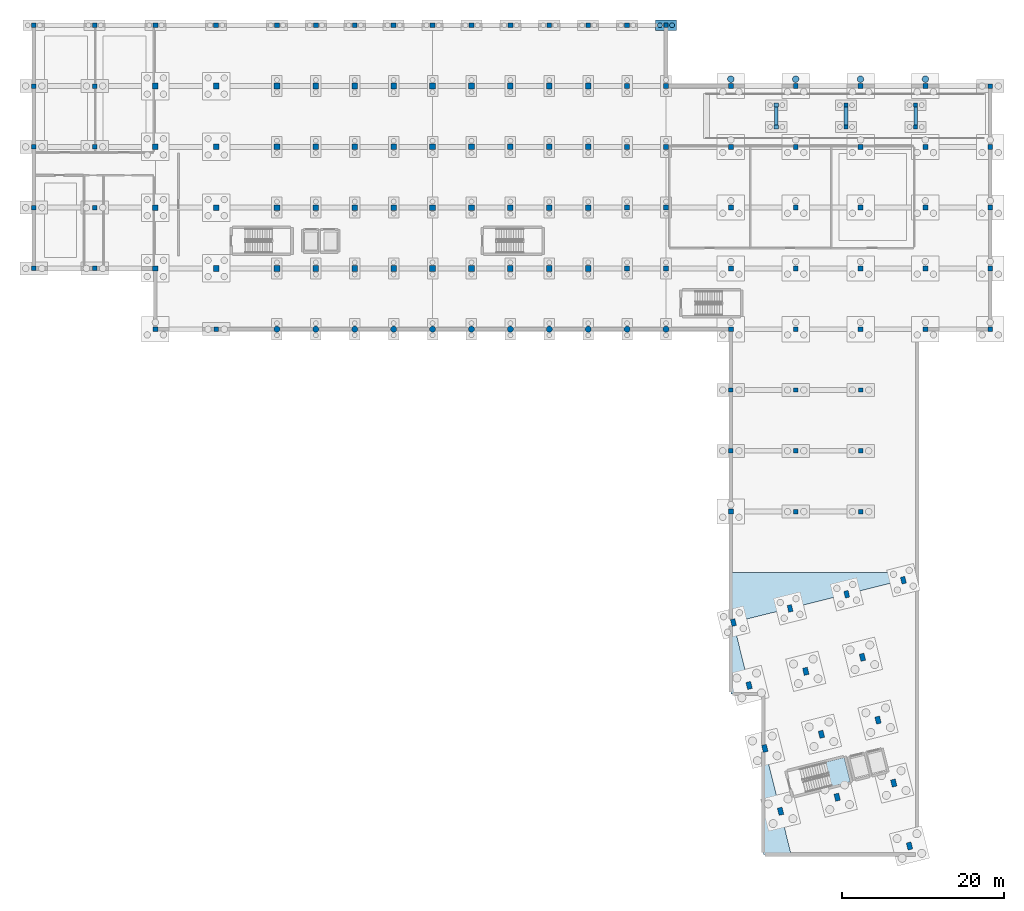
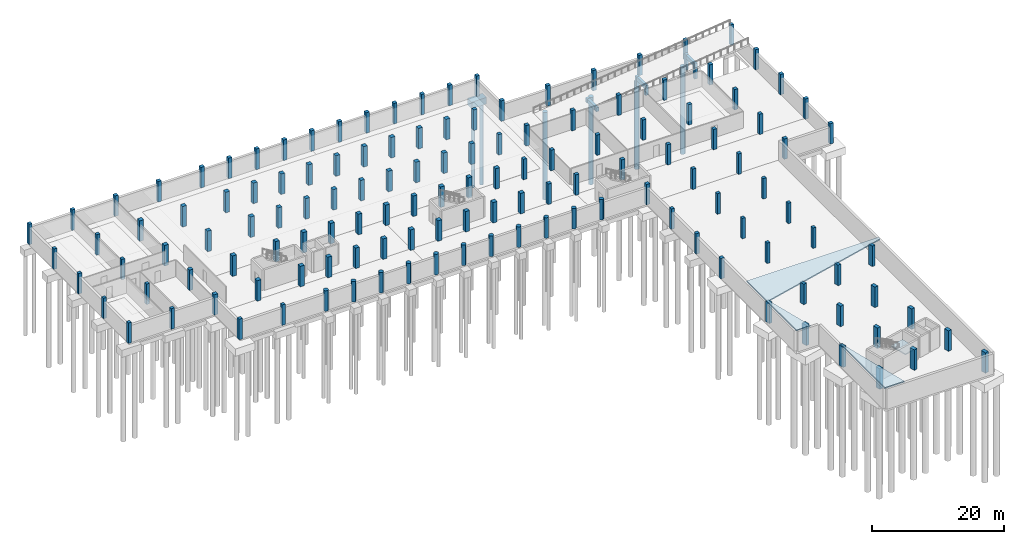
# One storey, part 4 of 17: 142 columns, 6 piles, 3 beams, 3 slabs, 1 footing, 1 element without a shape of its own.
"""IFC4 building model written with IfcOpenShell, lengths in metres."""

from ifc_helpers import new_model, si_unit, direction, frame, origin, origin_2d, place, context, subcontext, project, spatial, polyline, rectangle, circle, outline, extrude, material, layer, layer_set, material_profile, profile_set, type_object, element, aggregate, save


model = new_model("IFC4")

# Units and contexts
model_context = context("Model", 3, precision=1e-05, world=origin(), true_north=direction((0.0, 1.0)))
body_context = subcontext(model_context, "Body", "Model", "MODEL_VIEW")
ifc_project = project(units=[si_unit("LENGTHUNIT", "METRE"), si_unit("AREAUNIT", "SQUARE_METRE"), si_unit("VOLUMEUNIT", "CUBIC_METRE"), si_unit("PLANEANGLEUNIT", "RADIAN"), si_unit("MASSUNIT", "GRAM", prefix="KILO")], contexts=[model_context])

# Site, building, storey
site_placement = place(None, origin())
site = spatial("IfcSite", under=ifc_project, at=site_placement, CompositionType="ELEMENT")
building_placement = place(site_placement, origin())
building = spatial("IfcBuilding", under=site, at=building_placement, Name="Mawjan Specialist Oncology Clinic", CompositionType="ELEMENT")
storey_placement = place(building_placement, frame((0.0, 0.0, -4.199951171875)))
storey = spatial("IfcBuildingStorey", under=building, at=storey_placement, Name="B01", CompositionType="ELEMENT", Elevation=-4.199951171875)

# Footing
ifc_material_1 = material(Name="Concrete C40/50", Category="concrete")
footing_type = type_object("IfcFootingType", Name="PC-2A", PredefinedType="PILE_CAP", material=ifc_material_1)
footing_placement = place(storey_placement, frame((108.0, 113.300048828125, -1.64990234375), z_axis=(0.0, 0.0, 1.0), x_axis=(1.0, 0.0, 0.0)))
element("IfcFooting", 1, at=footing_placement, inside=storey, type_object=footing_type, Name="Pile Cap FTG-PC-215", PredefinedType="PILE_CAP", context=body_context, shape_type="SweptSolid", body=[
    extrude(rectangle(XDim=2.60009765625, YDim=1.300048828125, at=origin_2d()), origin(), (0.0, 0.0, 1.0), 1.199951171875),
])

# Piles
ifc_material_2 = material(Name="Concrete C40/50", Category="concrete")
ifc_material_profile_1 = material_profile(ifc_material_2, circle(Radius=0.300048828125, at=origin_2d()), Name="BORED PILE D600", Category="concrete")
ifc_profile_set_1 = profile_set([ifc_material_profile_1], Name="Concrete C40/50")
pile_type_1 = type_object("IfcPileType", Name="PILE-600", PredefinedType="BORED", material=ifc_profile_set_1)
for number, where, z_axis, x_axis, name in (
    (2, (107.25, 113.300048828125, -1.550048828125), (0.0, 0.0, -1.0), (1.0, 0.0, 0.0), "Bored Pile PIL-0527"),
    (3, (108.75, 113.300048828125, -1.550048828125), (0.0, 0.0, -1.0), (1.0, 0.0, 0.0), "Bored Pile PIL-0528"),
):
    element("IfcPile", number, at=place(storey_placement, frame(where, z_axis=z_axis, x_axis=x_axis)), inside=storey, type_object=pile_type_1, Name=name, PredefinedType="BORED", context=body_context, shape_type="SweptSolid", body=[
        extrude(circle(Radius=0.300048828125, at=origin_2d()), origin(), (0.0, 0.0, 1.0), 15.050048828125),
    ])
ifc_material_3 = material(Name="Concrete C40/50", Category="concrete")
ifc_material_profile_2 = material_profile(ifc_material_3, circle(Radius=0.39990234375, at=origin_2d()), Name="BORED PILE D800", Category="concrete")
ifc_profile_set_2 = profile_set([ifc_material_profile_2], Name="Concrete C40/50")
pile_type_2 = type_object("IfcPileType", Name="PILE-800", PredefinedType="BORED", material=ifc_profile_set_2)
for number, where, z_axis, x_axis, name in (
    (4, (116.0, 106.64990234375, -1.699951171875), (0.0, 0.0, -1.0), (1.0, 0.0, 0.0), "Bored Pile PIL-0550"),
    (5, (124.0, 106.64990234375, -1.699951171875), (0.0, 0.0, -1.0), (1.0, 0.0, 0.0), "Bored Pile PIL-0573"),
    (6, (132.0, 106.64990234375, -1.699951171875), (0.0, 0.0, -1.0), (1.0, 0.0, 0.0), "Bored Pile PIL-0596"),
    (7, (140.0, 106.64990234375, -1.699951171875), (0.0, 0.0, -1.0), (1.0, 0.0, 0.0), "Bored Pile PIL-0613"),
):
    element("IfcPile", number, at=place(storey_placement, frame(where, z_axis=z_axis, x_axis=x_axis)), inside=storey, type_object=pile_type_2, Name=name, PredefinedType="BORED", context=body_context, shape_type="SweptSolid", body=[
        extrude(circle(Radius=0.39990234375, at=origin_2d()), origin(), (0.0, 0.0, 1.0), 16.10009765625),
    ])

# Columns
ifc_material_4 = material(Name="Concrete C45/55", Category="concrete")
ifc_material_profile_3 = material_profile(ifc_material_4, rectangle(XDim=0.5, YDim=0.5, at=origin_2d()), Name="RC COL 500x500", Category="concrete")
ifc_profile_set_3 = profile_set([ifc_material_profile_3], Name="Concrete C45/55")
column_type_1 = type_object("IfcColumnType", Name="C-500", PredefinedType="COLUMN", material=ifc_profile_set_3)
for number, where, z_axis, x_axis, name in (
    (8, (121.60009765625, 100.75, 0.0), (0.0, 0.0, 1.0), (1.0, 0.0, 0.0), "B01 Vehicle Ramp Support Column 1-1"),
    (9, (121.60009765625, 103.449951171875, 0.0), (0.0, 0.0, 1.0), (1.0, 0.0, 0.0), "B01 Vehicle Ramp Support Column 1-2"),
):
    element("IfcColumn", number, at=place(storey_placement, frame(where, z_axis=z_axis, x_axis=x_axis)), inside=storey, type_object=column_type_1, Name=name, PredefinedType="COLUMN", context=body_context, shape_type="SweptSolid", body=[
        extrude(rectangle(XDim=0.5, YDim=0.5, at=origin_2d()), origin(), (0.0, 0.0, 1.0), 0.74365234375),
    ])
for number, where, z_axis, x_axis, name in (
    (10, (130.199951171875, 100.75, 0.0), (0.0, 0.0, 1.0), (1.0, 0.0, 0.0), "B01 Vehicle Ramp Support Column 2-1"),
    (11, (130.199951171875, 103.449951171875, 0.0), (0.0, 0.0, 1.0), (1.0, 0.0, 0.0), "B01 Vehicle Ramp Support Column 2-2"),
):
    element("IfcColumn", number, at=place(storey_placement, frame(where, z_axis=z_axis, x_axis=x_axis)), inside=storey, type_object=column_type_1, Name=name, PredefinedType="COLUMN", context=body_context, shape_type="SweptSolid", body=[
        extrude(rectangle(XDim=0.5, YDim=0.5, at=origin_2d()), origin(), (0.0, 0.0, 1.0), 1.793701171875),
    ])
for number, where, z_axis, x_axis, name in (
    (12, (138.800048828125, 100.75, 0.0), (0.0, 0.0, 1.0), (1.0, 0.0, 0.0), "B01 Vehicle Ramp Support Column 3-1"),
    (13, (138.800048828125, 103.449951171875, 0.0), (0.0, 0.0, 1.0), (1.0, 0.0, 0.0), "B01 Vehicle Ramp Support Column 3-2"),
):
    element("IfcColumn", number, at=place(storey_placement, frame(where, z_axis=z_axis, x_axis=x_axis)), inside=storey, type_object=column_type_1, Name=name, PredefinedType="COLUMN", context=body_context, shape_type="SweptSolid", body=[
        extrude(rectangle(XDim=0.5, YDim=0.5, at=origin_2d()), origin(), (0.0, 0.0, 1.0), 2.84375),
    ])
ifc_material_5 = material(Name="Concrete C45/55", Category="concrete")
ifc_material_profile_4 = material_profile(ifc_material_5, rectangle(XDim=0.550048828125, YDim=0.550048828125, at=origin_2d()), Name="RC COL 550x550", Category="concrete")
ifc_profile_set_4 = profile_set([ifc_material_profile_4], Name="Concrete C45/55")
column_type_2 = type_object("IfcColumnType", Name="C-550", PredefinedType="COLUMN", material=ifc_profile_set_4)
for number, where, z_axis, x_axis, name in (
    (14, (30.0, 83.300048828125, 0.0), (0.0, 0.0, 1.0), (1.0, 0.0, 0.0), "B01 Column G-5-M"),
    (15, (30.0, 90.800048828125, 0.0), (0.0, 0.0, 1.0), (1.0, 0.0, 0.0), "B01 Column G-5-N"),
    (16, (30.0, 98.300048828125, 0.0), (0.0, 0.0, 1.0), (1.0, 0.0, 0.0), "B01 Column G-5-P"),
    (17, (30.0, 105.800048828125, 0.0), (0.0, 0.0, 1.0), (1.0, 0.0, 0.0), "B01 Column G-5-Q"),
    (18, (30.0, 113.300048828125, 0.0), (0.0, 0.0, 1.0), (1.0, 0.0, 0.0), "B01 Column G-5-R"),
    (19, (37.5, 83.300048828125, 0.0), (0.0, 0.0, 1.0), (1.0, 0.0, 0.0), "B01 Column G-6-M"),
    (20, (37.5, 90.800048828125, 0.0), (0.0, 0.0, 1.0), (1.0, 0.0, 0.0), "B01 Column G-6-N"),
    (21, (37.5, 98.300048828125, 0.0), (0.0, 0.0, 1.0), (1.0, 0.0, 0.0), "B01 Column G-6-P"),
    (22, (37.5, 105.800048828125, 0.0), (0.0, 0.0, 1.0), (1.0, 0.0, 0.0), "B01 Column G-6-Q"),
    (23, (37.5, 113.300048828125, 0.0), (0.0, 0.0, 1.0), (1.0, 0.0, 0.0), "B01 Column G-6-R"),
    (24, (52.5, 75.800048828125, 0.0), (0.0, 0.0, 1.0), (1.0, 0.0, 0.0), "B01 Column G-8-L"),
    (25, (108.0, 113.300048828125, 0.0), (0.0, 0.0, 1.0), (1.0, 0.0, 0.0), "B01 Column G-19-R"),
    (26, (116.0, 60.800048828125, 0.0), (0.0, 0.0, 1.0), (1.0, 0.0, 0.0), "B01 Column G-20-J"),
    (27, (116.0, 68.300048828125, 0.0), (0.0, 0.0, 1.0), (1.0, 0.0, 0.0), "B01 Column G-20-K"),
    (28, (124.0, 53.300048828125, 0.0), (0.0, 0.0, 1.0), (1.0, 0.0, 0.0), "B01 Column G-21-H"),
    (29, (124.0, 60.800048828125, 0.0), (0.0, 0.0, 1.0), (1.0, 0.0, 0.0), "B01 Column G-21-J"),
    (30, (124.0, 68.300048828125, 0.0), (0.0, 0.0, 1.0), (1.0, 0.0, 0.0), "B01 Column G-21-K"),
    (31, (132.0, 53.300048828125, 0.0), (0.0, 0.0, 1.0), (1.0, 0.0, 0.0), "B01 Column G-22-H"),
    (32, (132.0, 60.800048828125, 0.0), (0.0, 0.0, 1.0), (1.0, 0.0, 0.0), "B01 Column G-22-J"),
    (33, (132.0, 68.300048828125, 0.0), (0.0, 0.0, 1.0), (1.0, 0.0, 0.0), "B01 Column G-22-K"),
):
    element("IfcColumn", number, at=place(storey_placement, frame(where, z_axis=z_axis, x_axis=x_axis)), inside=storey, type_object=column_type_2, Name=name, PredefinedType="COLUMN", context=body_context, shape_type="SweptSolid", body=[
        extrude(rectangle(XDim=0.550048828125, YDim=0.550048828125, at=origin_2d()), origin(), (0.0, 0.0, 1.0), 3.780029296875),
    ])
column_1_placement = place(storey_placement, frame((148.0, 105.800048828125, 0.0), z_axis=(0.0, 0.0, 1.0), x_axis=(1.0, 0.0, 0.0)))
element("IfcColumn", 34, at=column_1_placement, inside=storey, type_object=column_type_2, Name="B01 Column G-24-Q", PredefinedType="COLUMN", context=body_context, shape_type="SweptSolid", body=[
    extrude(rectangle(XDim=0.550048828125, YDim=0.550048828125, at=origin_2d()), origin(), (0.0, 0.0, 1.0), 3.75),
])
ifc_material_6 = material(Name="Concrete C45/55", Category="concrete")
ifc_material_profile_5 = material_profile(ifc_material_6, rectangle(XDim=0.550048828125, YDim=0.85009765625, at=origin_2d()), Name="RC COL 550x850", Category="concrete")
ifc_profile_set_5 = profile_set([ifc_material_profile_5], Name="Concrete C45/55")
column_type_3 = type_object("IfcColumnType", Name="C-550x850", PredefinedType="COLUMN", material=ifc_profile_set_5)
for number, where, z_axis, x_axis, name in (
    (35, (116.3232421875, 39.61181640625, 0.0), (0.0, 0.0, 1.0), (0.970295726276, 0.2419218956, 0.0), "B01 Column R-RA-R6"),
    (36, (123.309326171875, 41.353759765625, 0.0), (0.0, 0.0, 1.0), (0.970295726276, 0.2419218956, 0.0), "B01 Column R-RB-R6"),
    (37, (130.29541015625, 43.095458984375, 0.0), (0.0, 0.0, 1.0), (0.970295726276, 0.2419218956, 0.0), "B01 Column R-RC-R6"),
    (38, (137.281494140625, 44.83740234375, 0.0), (0.0, 0.0, 1.0), (0.970295726276, 0.2419218956, 0.0), "B01 Column R-RD-R6"),
):
    element("IfcColumn", number, at=place(storey_placement, frame(where, z_axis=z_axis, x_axis=x_axis)), inside=storey, type_object=column_type_3, Name=name, PredefinedType="COLUMN", context=body_context, shape_type="SweptSolid", body=[
        extrude(rectangle(XDim=0.550048828125, YDim=0.85009765625, at=origin_2d()), origin(), (0.0, 0.0, 1.0), 3.780029296875),
    ])
ifc_material_7 = material(Name="Concrete C45/55", Category="concrete")
ifc_material_profile_6 = material_profile(ifc_material_7, rectangle(XDim=0.60009765625, YDim=0.60009765625, at=origin_2d()), Name="RC COL 600x600", Category="concrete")
ifc_profile_set_6 = profile_set([ifc_material_profile_6], Name="Concrete C45/55")
column_type_4 = type_object("IfcColumnType", Name="C-600", PredefinedType="COLUMN", material=ifc_profile_set_6)
for number, where, z_axis, x_axis, name in (
    (39, (45.0, 75.800048828125, 0.0), (0.0, 0.0, 1.0), (1.0, 0.0, 0.0), "B01 Column G-7-L"),
    (40, (45.0, 113.300048828125, 0.0), (0.0, 0.0, 1.0), (1.0, 0.0, 0.0), "B01 Column G-7-R"),
    (41, (52.5, 113.300048828125, 0.0), (0.0, 0.0, 1.0), (1.0, 0.0, 0.0), "B01 Column G-8-R"),
    (42, (60.0, 113.300048828125, 0.0), (0.0, 0.0, 1.0), (1.0, 0.0, 0.0), "B01 Column G-9-R"),
    (43, (64.800048828125, 113.300048828125, 0.0), (0.0, 0.0, 1.0), (1.0, 0.0, 0.0), "B01 Column G-10-R"),
    (44, (69.60009765625, 113.300048828125, 0.0), (0.0, 0.0, 1.0), (1.0, 0.0, 0.0), "B01 Column G-11-R"),
    (45, (74.39990234375, 113.300048828125, 0.0), (0.0, 0.0, 1.0), (1.0, 0.0, 0.0), "B01 Column G-12-R"),
    (46, (79.199951171875, 113.300048828125, 0.0), (0.0, 0.0, 1.0), (1.0, 0.0, 0.0), "B01 Column G-13-R"),
    (47, (84.0, 113.300048828125, 0.0), (0.0, 0.0, 1.0), (1.0, 0.0, 0.0), "B01 Column G-14-R"),
    (48, (88.800048828125, 113.300048828125, 0.0), (0.0, 0.0, 1.0), (1.0, 0.0, 0.0), "B01 Column G-15-R"),
    (49, (93.60009765625, 113.300048828125, 0.0), (0.0, 0.0, 1.0), (1.0, 0.0, 0.0), "B01 Column G-16-R"),
    (50, (98.39990234375, 113.300048828125, 0.0), (0.0, 0.0, 1.0), (1.0, 0.0, 0.0), "B01 Column G-17-R"),
    (51, (103.199951171875, 83.300048828125, 0.0), (0.0, 0.0, 1.0), (1.0, 0.0, 0.0), "B01 Column G-18-M"),
    (52, (103.199951171875, 90.800048828125, 0.0), (0.0, 0.0, 1.0), (1.0, 0.0, 0.0), "B01 Column G-18-N"),
    (53, (103.199951171875, 98.300048828125, 0.0), (0.0, 0.0, 1.0), (1.0, 0.0, 0.0), "B01 Column G-18-P"),
    (54, (103.199951171875, 105.800048828125, 0.0), (0.0, 0.0, 1.0), (1.0, 0.0, 0.0), "B01 Column G-18-Q"),
    (55, (103.199951171875, 113.300048828125, 0.0), (0.0, 0.0, 1.0), (1.0, 0.0, 0.0), "B01 Column G-18-R"),
    (56, (108.0, 83.300048828125, 0.0), (0.0, 0.0, 1.0), (1.0, 0.0, 0.0), "B01 Column G-19-M"),
    (57, (108.0, 90.800048828125, 0.0), (0.0, 0.0, 1.0), (1.0, 0.0, 0.0), "B01 Column G-19-N"),
    (58, (108.0, 98.300048828125, 0.0), (0.0, 0.0, 1.0), (1.0, 0.0, 0.0), "B01 Column G-19-P"),
    (59, (108.0, 105.800048828125, 0.0), (0.0, 0.0, 1.0), (1.0, 0.0, 0.0), "B01 Column G-19-Q"),
    (60, (116.0, 53.300048828125, 0.0), (0.0, 0.0, 1.0), (1.0, 0.0, 0.0), "B01 Column G-20-H"),
    (61, (116.0, 75.800048828125, 0.0), (0.0, 0.0, 1.0), (1.0, 0.0, 0.0), "B01 Column G-20-L"),
):
    element("IfcColumn", number, at=place(storey_placement, frame(where, z_axis=z_axis, x_axis=x_axis)), inside=storey, type_object=column_type_4, Name=name, PredefinedType="COLUMN", context=body_context, shape_type="SweptSolid", body=[
        extrude(rectangle(XDim=0.60009765625, YDim=0.60009765625, at=origin_2d()), origin(), (0.0, 0.0, 1.0), 3.780029296875),
    ])
for number, where, z_axis, x_axis, name in (
    (62, (116.0, 83.300048828125, 0.0), (0.0, 0.0, 1.0), (1.0, 0.0, 0.0), "B01 Column G-20-M"),
    (63, (116.0, 90.800048828125, 0.0), (0.0, 0.0, 1.0), (1.0, 0.0, 0.0), "B01 Column G-20-N"),
    (64, (116.0, 98.300048828125, 0.0), (0.0, 0.0, 1.0), (1.0, 0.0, 0.0), "B01 Column G-20-P"),
    (65, (116.0, 105.800048828125, 0.0), (0.0, 0.0, 1.0), (1.0, 0.0, 0.0), "B01 Column G-20-Q"),
):
    element("IfcColumn", number, at=place(storey_placement, frame(where, z_axis=z_axis, x_axis=x_axis)), inside=storey, type_object=column_type_4, Name=name, PredefinedType="COLUMN", context=body_context, shape_type="SweptSolid", body=[
        extrude(rectangle(XDim=0.60009765625, YDim=0.60009765625, at=origin_2d()), origin(), (0.0, 0.0, 1.0), 3.75),
    ])
column_2_placement = place(storey_placement, frame((124.0, 75.800048828125, 0.0), z_axis=(0.0, 0.0, 1.0), x_axis=(1.0, 0.0, 0.0)))
element("IfcColumn", 66, at=column_2_placement, inside=storey, type_object=column_type_4, Name="B01 Column G-21-L", PredefinedType="COLUMN", context=body_context, shape_type="SweptSolid", body=[
    extrude(rectangle(XDim=0.60009765625, YDim=0.60009765625, at=origin_2d()), origin(), (0.0, 0.0, 1.0), 3.780029296875),
])
for number, where, z_axis, x_axis, name in (
    (67, (124.0, 83.300048828125, 0.0), (0.0, 0.0, 1.0), (1.0, 0.0, 0.0), "B01 Column G-21-M"),
    (68, (124.0, 90.800048828125, 0.0), (0.0, 0.0, 1.0), (1.0, 0.0, 0.0), "B01 Column G-21-N"),
    (69, (124.0, 98.300048828125, 0.0), (0.0, 0.0, 1.0), (1.0, 0.0, 0.0), "B01 Column G-21-P"),
    (70, (124.0, 105.800048828125, 0.0), (0.0, 0.0, 1.0), (1.0, 0.0, 0.0), "B01 Column G-21-Q"),
):
    element("IfcColumn", number, at=place(storey_placement, frame(where, z_axis=z_axis, x_axis=x_axis)), inside=storey, type_object=column_type_4, Name=name, PredefinedType="COLUMN", context=body_context, shape_type="SweptSolid", body=[
        extrude(rectangle(XDim=0.60009765625, YDim=0.60009765625, at=origin_2d()), origin(), (0.0, 0.0, 1.0), 3.75),
    ])
column_3_placement = place(storey_placement, frame((132.0, 75.800048828125, 0.0), z_axis=(0.0, 0.0, 1.0), x_axis=(1.0, 0.0, 0.0)))
element("IfcColumn", 71, at=column_3_placement, inside=storey, type_object=column_type_4, Name="B01 Column G-22-L", PredefinedType="COLUMN", context=body_context, shape_type="SweptSolid", body=[
    extrude(rectangle(XDim=0.60009765625, YDim=0.60009765625, at=origin_2d()), origin(), (0.0, 0.0, 1.0), 3.780029296875),
])
for number, where, z_axis, x_axis, name in (
    (72, (132.0, 83.300048828125, 0.0), (0.0, 0.0, 1.0), (1.0, 0.0, 0.0), "B01 Column G-22-M"),
    (73, (132.0, 90.800048828125, 0.0), (0.0, 0.0, 1.0), (1.0, 0.0, 0.0), "B01 Column G-22-N"),
    (74, (132.0, 98.300048828125, 0.0), (0.0, 0.0, 1.0), (1.0, 0.0, 0.0), "B01 Column G-22-P"),
    (75, (132.0, 105.800048828125, 0.0), (0.0, 0.0, 1.0), (1.0, 0.0, 0.0), "B01 Column G-22-Q"),
    (76, (140.0, 75.800048828125, 0.0), (0.0, 0.0, 1.0), (1.0, 0.0, 0.0), "B01 Column G-23-L"),
    (77, (140.0, 83.300048828125, 0.0), (0.0, 0.0, 1.0), (1.0, 0.0, 0.0), "B01 Column G-23-M"),
    (78, (140.0, 90.800048828125, 0.0), (0.0, 0.0, 1.0), (1.0, 0.0, 0.0), "B01 Column G-23-N"),
    (79, (140.0, 98.300048828125, 0.0), (0.0, 0.0, 1.0), (1.0, 0.0, 0.0), "B01 Column G-23-P"),
    (80, (140.0, 105.800048828125, 0.0), (0.0, 0.0, 1.0), (1.0, 0.0, 0.0), "B01 Column G-23-Q"),
    (81, (148.0, 75.800048828125, 0.0), (0.0, 0.0, 1.0), (1.0, 0.0, 0.0), "B01 Column G-24-L"),
    (82, (148.0, 83.300048828125, 0.0), (0.0, 0.0, 1.0), (1.0, 0.0, 0.0), "B01 Column G-24-M"),
    (83, (148.0, 90.800048828125, 0.0), (0.0, 0.0, 1.0), (1.0, 0.0, 0.0), "B01 Column G-24-N"),
    (84, (148.0, 98.300048828125, 0.0), (0.0, 0.0, 1.0), (1.0, 0.0, 0.0), "B01 Column G-24-P"),
):
    element("IfcColumn", number, at=place(storey_placement, frame(where, z_axis=z_axis, x_axis=x_axis)), inside=storey, type_object=column_type_4, Name=name, PredefinedType="COLUMN", context=body_context, shape_type="SweptSolid", body=[
        extrude(rectangle(XDim=0.60009765625, YDim=0.60009765625, at=origin_2d()), origin(), (0.0, 0.0, 1.0), 3.75),
    ])
ifc_material_8 = material(Name="Concrete C45/55", Category="concrete")
ifc_material_profile_7 = material_profile(ifc_material_8, rectangle(XDim=0.60009765625, YDim=0.89990234375, at=origin_2d()), Name="RC COL 600x900", Category="concrete")
ifc_profile_set_7 = profile_set([ifc_material_profile_7], Name="Concrete C45/55")
column_type_5 = type_object("IfcColumnType", Name="C-600x900", PredefinedType="COLUMN", material=ifc_profile_set_7)
for number, where, z_axis, x_axis, name in (
    (85, (122.129150390625, 16.32470703125, 0.0), (0.0, 0.0, 1.0), (0.970295726276, 0.2419218956, 0.0), "B01 Column R-RA-R3"),
    (86, (120.19384765625, 24.087158203125, 0.0), (0.0, 0.0, 1.0), (0.970295726276, 0.2419218956, 0.0), "B01 Column R-RA-R4"),
    (87, (118.258544921875, 31.849365234375, 0.0), (0.0, 0.0, 1.0), (0.970295726276, 0.2419218956, 0.0), "B01 Column R-RA-R5"),
    (88, (129.115478515625, 18.066650390625, 0.0), (0.0, 0.0, 1.0), (0.970295726276, 0.2419218956, 0.0), "B01 Column R-RB-R3"),
    (89, (127.179931640625, 25.828857421875, 0.0), (0.0, 0.0, 1.0), (0.970295726276, 0.2419218956, 0.0), "B01 Column R-RB-R4"),
    (90, (125.24462890625, 33.59130859375, 0.0), (0.0, 0.0, 1.0), (0.970295726276, 0.2419218956, 0.0), "B01 Column R-RB-R5"),
    (91, (138.036865234375, 12.046142578125, 0.0), (0.0, 0.0, 1.0), (0.970295726276, 0.2419218956, 0.0), "B01 Column R-RC-R2"),
    (92, (136.1015625, 19.808349609375, 0.0), (0.0, 0.0, 1.0), (0.970295726276, 0.2419218956, 0.0), "B01 Column R-RC-R3"),
    (93, (134.166015625, 27.57080078125, 0.0), (0.0, 0.0, 1.0), (0.970295726276, 0.2419218956, 0.0), "B01 Column R-RC-R4"),
    (94, (132.230712890625, 35.333251953125, 0.0), (0.0, 0.0, 1.0), (0.970295726276, 0.2419218956, 0.0), "B01 Column R-RC-R5"),
):
    element("IfcColumn", number, at=place(storey_placement, frame(where, z_axis=z_axis, x_axis=x_axis)), inside=storey, type_object=column_type_5, Name=name, PredefinedType="COLUMN", context=body_context, shape_type="SweptSolid", body=[
        extrude(rectangle(XDim=0.60009765625, YDim=0.89990234375, at=origin_2d()), origin(), (0.0, 0.0, 1.0), 3.780029296875),
    ])
ifc_material_9 = material(Name="Concrete C45/55", Category="concrete")
ifc_material_profile_8 = material_profile(ifc_material_9, rectangle(XDim=0.64990234375, YDim=0.64990234375, at=origin_2d()), Name="RC COL 650x650", Category="concrete")
ifc_profile_set_8 = profile_set([ifc_material_profile_8], Name="Concrete C45/55")
column_type_6 = type_object("IfcColumnType", Name="C-650", PredefinedType="COLUMN", material=ifc_profile_set_8)
for number, where, z_axis, x_axis, name in (
    (95, (45.0, 83.300048828125, 0.0), (0.0, 0.0, 1.0), (1.0, 0.0, 0.0), "B01 Column G-7-M"),
    (96, (45.0, 90.800048828125, 0.0), (0.0, 0.0, 1.0), (1.0, 0.0, 0.0), "B01 Column G-7-N"),
):
    element("IfcColumn", number, at=place(storey_placement, frame(where, z_axis=z_axis, x_axis=x_axis)), inside=storey, type_object=column_type_6, Name=name, PredefinedType="COLUMN", context=body_context, shape_type="SweptSolid", body=[
        extrude(rectangle(XDim=0.64990234375, YDim=0.64990234375, at=origin_2d()), origin(), (0.0, 0.0, 1.0), 3.780029296875),
    ])
ifc_material_10 = material(Name="Concrete C45/55", Category="concrete")
ifc_material_profile_9 = material_profile(ifc_material_10, rectangle(XDim=0.699951171875, YDim=0.699951171875, at=origin_2d()), Name="RC COL 700x700", Category="concrete")
ifc_profile_set_9 = profile_set([ifc_material_profile_9], Name="Concrete C45/55")
column_type_7 = type_object("IfcColumnType", Name="C-700", PredefinedType="COLUMN", material=ifc_profile_set_9)
for number, where, z_axis, x_axis, name in (
    (97, (45.0, 98.300048828125, 0.0), (0.0, 0.0, 1.0), (1.0, 0.0, 0.0), "B01 Column G-7-P"),
    (98, (45.0, 105.800048828125, 0.0), (0.0, 0.0, 1.0), (1.0, 0.0, 0.0), "B01 Column G-7-Q"),
    (99, (52.5, 83.300048828125, 0.0), (0.0, 0.0, 1.0), (1.0, 0.0, 0.0), "B01 Column G-8-M"),
    (100, (52.5, 90.800048828125, 0.0), (0.0, 0.0, 1.0), (1.0, 0.0, 0.0), "B01 Column G-8-N"),
    (101, (52.5, 98.300048828125, 0.0), (0.0, 0.0, 1.0), (1.0, 0.0, 0.0), "B01 Column G-8-P"),
    (102, (52.5, 105.800048828125, 0.0), (0.0, 0.0, 1.0), (1.0, 0.0, 0.0), "B01 Column G-8-Q"),
    (103, (60.0, 83.300048828125, 0.0), (0.0, 0.0, 1.0), (1.0, 0.0, 0.0), "B01 Column G-9-M"),
    (104, (60.0, 90.800048828125, 0.0), (0.0, 0.0, 1.0), (1.0, 0.0, 0.0), "B01 Column G-9-N"),
    (105, (60.0, 98.300048828125, 0.0), (0.0, 0.0, 1.0), (1.0, 0.0, 0.0), "B01 Column G-9-P"),
    (106, (60.0, 105.800048828125, 0.0), (0.0, 0.0, 1.0), (1.0, 0.0, 0.0), "B01 Column G-9-Q"),
    (107, (64.800048828125, 83.300048828125, 0.0), (0.0, 0.0, 1.0), (1.0, 0.0, 0.0), "B01 Column G-10-M"),
    (108, (64.800048828125, 90.800048828125, 0.0), (0.0, 0.0, 1.0), (1.0, 0.0, 0.0), "B01 Column G-10-N"),
    (109, (64.800048828125, 98.300048828125, 0.0), (0.0, 0.0, 1.0), (1.0, 0.0, 0.0), "B01 Column G-10-P"),
    (110, (64.800048828125, 105.800048828125, 0.0), (0.0, 0.0, 1.0), (1.0, 0.0, 0.0), "B01 Column G-10-Q"),
    (111, (69.60009765625, 83.300048828125, 0.0), (0.0, 0.0, 1.0), (1.0, 0.0, 0.0), "B01 Column G-11-M"),
    (112, (69.60009765625, 90.800048828125, 0.0), (0.0, 0.0, 1.0), (1.0, 0.0, 0.0), "B01 Column G-11-N"),
    (113, (69.60009765625, 98.300048828125, 0.0), (0.0, 0.0, 1.0), (1.0, 0.0, 0.0), "B01 Column G-11-P"),
    (114, (69.60009765625, 105.800048828125, 0.0), (0.0, 0.0, 1.0), (1.0, 0.0, 0.0), "B01 Column G-11-Q"),
    (115, (74.39990234375, 83.300048828125, 0.0), (0.0, 0.0, 1.0), (1.0, 0.0, 0.0), "B01 Column G-12-M"),
    (116, (74.39990234375, 90.800048828125, 0.0), (0.0, 0.0, 1.0), (1.0, 0.0, 0.0), "B01 Column G-12-N"),
    (117, (74.39990234375, 98.300048828125, 0.0), (0.0, 0.0, 1.0), (1.0, 0.0, 0.0), "B01 Column G-12-P"),
    (118, (74.39990234375, 105.800048828125, 0.0), (0.0, 0.0, 1.0), (1.0, 0.0, 0.0), "B01 Column G-12-Q"),
    (119, (79.199951171875, 83.300048828125, 0.0), (0.0, 0.0, 1.0), (1.0, 0.0, 0.0), "B01 Column G-13-M"),
    (120, (79.199951171875, 90.800048828125, 0.0), (0.0, 0.0, 1.0), (1.0, 0.0, 0.0), "B01 Column G-13-N"),
    (121, (79.199951171875, 98.300048828125, 0.0), (0.0, 0.0, 1.0), (1.0, 0.0, 0.0), "B01 Column G-13-P"),
    (122, (79.199951171875, 105.800048828125, 0.0), (0.0, 0.0, 1.0), (1.0, 0.0, 0.0), "B01 Column G-13-Q"),
    (123, (84.0, 83.300048828125, 0.0), (0.0, 0.0, 1.0), (1.0, 0.0, 0.0), "B01 Column G-14-M"),
    (124, (84.0, 90.800048828125, 0.0), (0.0, 0.0, 1.0), (1.0, 0.0, 0.0), "B01 Column G-14-N"),
    (125, (84.0, 98.300048828125, 0.0), (0.0, 0.0, 1.0), (1.0, 0.0, 0.0), "B01 Column G-14-P"),
    (126, (84.0, 105.800048828125, 0.0), (0.0, 0.0, 1.0), (1.0, 0.0, 0.0), "B01 Column G-14-Q"),
    (127, (88.800048828125, 83.300048828125, 0.0), (0.0, 0.0, 1.0), (1.0, 0.0, 0.0), "B01 Column G-15-M"),
    (128, (88.800048828125, 90.800048828125, 0.0), (0.0, 0.0, 1.0), (1.0, 0.0, 0.0), "B01 Column G-15-N"),
    (129, (88.800048828125, 98.300048828125, 0.0), (0.0, 0.0, 1.0), (1.0, 0.0, 0.0), "B01 Column G-15-P"),
    (130, (88.800048828125, 105.800048828125, 0.0), (0.0, 0.0, 1.0), (1.0, 0.0, 0.0), "B01 Column G-15-Q"),
    (131, (93.60009765625, 83.300048828125, 0.0), (0.0, 0.0, 1.0), (1.0, 0.0, 0.0), "B01 Column G-16-M"),
    (132, (93.60009765625, 90.800048828125, 0.0), (0.0, 0.0, 1.0), (1.0, 0.0, 0.0), "B01 Column G-16-N"),
    (133, (93.60009765625, 98.300048828125, 0.0), (0.0, 0.0, 1.0), (1.0, 0.0, 0.0), "B01 Column G-16-P"),
    (134, (93.60009765625, 105.800048828125, 0.0), (0.0, 0.0, 1.0), (1.0, 0.0, 0.0), "B01 Column G-16-Q"),
    (135, (98.39990234375, 83.300048828125, 0.0), (0.0, 0.0, 1.0), (1.0, 0.0, 0.0), "B01 Column G-17-M"),
    (136, (98.39990234375, 90.800048828125, 0.0), (0.0, 0.0, 1.0), (1.0, 0.0, 0.0), "B01 Column G-17-N"),
    (137, (98.39990234375, 98.300048828125, 0.0), (0.0, 0.0, 1.0), (1.0, 0.0, 0.0), "B01 Column G-17-P"),
    (138, (98.39990234375, 105.800048828125, 0.0), (0.0, 0.0, 1.0), (1.0, 0.0, 0.0), "B01 Column G-17-Q"),
):
    element("IfcColumn", number, at=place(storey_placement, frame(where, z_axis=z_axis, x_axis=x_axis)), inside=storey, type_object=column_type_7, Name=name, PredefinedType="COLUMN", context=body_context, shape_type="SweptSolid", body=[
        extrude(rectangle(XDim=0.699951171875, YDim=0.699951171875, at=origin_2d()), origin(), (0.0, 0.0, 1.0), 3.780029296875),
    ])
ifc_material_11 = material(Name="Concrete C45/55", Category="concrete")
ifc_material_profile_10 = material_profile(ifc_material_11, circle(Radius=0.375, at=origin_2d()), Name="RC COL D750", Category="concrete")
ifc_profile_set_10 = profile_set([ifc_material_profile_10], Name="Concrete C45/55")
column_type_8 = type_object("IfcColumnType", Name="C-D750", PredefinedType="COLUMN", material=ifc_profile_set_10)
for number, where, z_axis, x_axis, name in (
    (139, (60.0, 75.800048828125, 0.0), (0.0, 0.0, 1.0), (1.0, 0.0, 0.0), "B01 Column G-9-L"),
    (140, (64.800048828125, 75.800048828125, 0.0), (0.0, 0.0, 1.0), (1.0, 0.0, 0.0), "B01 Column G-10-L"),
    (141, (69.60009765625, 75.800048828125, 0.0), (0.0, 0.0, 1.0), (1.0, 0.0, 0.0), "B01 Column G-11-L"),
    (142, (74.39990234375, 75.800048828125, 0.0), (0.0, 0.0, 1.0), (1.0, 0.0, 0.0), "B01 Column G-12-L"),
    (143, (79.199951171875, 75.800048828125, 0.0), (0.0, 0.0, 1.0), (1.0, 0.0, 0.0), "B01 Column G-13-L"),
    (144, (84.0, 75.800048828125, 0.0), (0.0, 0.0, 1.0), (1.0, 0.0, 0.0), "B01 Column G-14-L"),
    (145, (88.800048828125, 75.800048828125, 0.0), (0.0, 0.0, 1.0), (1.0, 0.0, 0.0), "B01 Column G-15-L"),
    (146, (93.60009765625, 75.800048828125, 0.0), (0.0, 0.0, 1.0), (1.0, 0.0, 0.0), "B01 Column G-16-L"),
    (147, (98.39990234375, 75.800048828125, 0.0), (0.0, 0.0, 1.0), (1.0, 0.0, 0.0), "B01 Column G-17-L"),
    (148, (103.199951171875, 75.800048828125, 0.0), (0.0, 0.0, 1.0), (1.0, 0.0, 0.0), "B01 Column G-18-L"),
    (149, (108.0, 75.800048828125, 0.0), (0.0, 0.0, 1.0), (1.0, 0.0, 0.0), "B01 Column G-19-L"),
):
    element("IfcColumn", number, at=place(storey_placement, frame(where, z_axis=z_axis, x_axis=x_axis)), inside=storey, type_object=column_type_8, Name=name, PredefinedType="COLUMN", context=body_context, shape_type="SweptSolid", body=[
        extrude(circle(Radius=0.375, at=origin_2d()), origin(), (0.0, 0.0, 1.0), 3.780029296875),
    ])

# Beams
ifc_material_12 = material(Name="Concrete C40/50", Category="concrete")
ifc_material_profile_11 = material_profile(ifc_material_12, rectangle(XDim=0.449951171875, YDim=0.699951171875, at=origin_2d()), Name="RC BM 450x700", Category="concrete")
ifc_profile_set_11 = profile_set([ifc_material_profile_11], Name="Concrete C40/50")
beam_type = type_object("IfcBeamType", Name="BM-450x700", PredefinedType="BEAM", material=ifc_profile_set_11)
for number, where, z_axis, x_axis, name in (
    (150, (121.60009765625, 100.985107421875, 0.393798828125), (0.0, 1.0, 0.0), (-1.0, 0.0, 0.0), "B01 Vehicle Ramp Transverse Support Beam 01"),
    (151, (130.199951171875, 100.985107421875, 1.443603515625), (0.0, 1.0, 0.0), (-1.0, 0.0, 0.0), "B01 Vehicle Ramp Transverse Support Beam 02"),
    (152, (138.800048828125, 100.985107421875, 2.49365234375), (0.0, 1.0, 0.0), (-1.0, 0.0, 0.0), "B01 Vehicle Ramp Transverse Support Beam 03"),
):
    element("IfcBeam", number, at=place(storey_placement, frame(where, z_axis=z_axis, x_axis=x_axis)), inside=storey, type_object=beam_type, Name=name, PredefinedType="BEAM", context=body_context, shape_type="SweptSolid", body=[
        extrude(rectangle(XDim=0.449951171875, YDim=0.699951171875, at=origin_2d()), origin(), (0.0, 0.0, 1.0), 2.22998046875),
    ])

# Stair, slab
ifc_material_13 = material(Name="Concrete C35/45", Category="concrete")
stair_type = type_object("IfcStairType", Name="STR-CORE42", PredefinedType="HALF_TURN_STAIR", material=ifc_material_13)
stair_placement = place(storey_placement, origin())
stair = element("IfcStair", 153, at=stair_placement, inside=storey, type_object=stair_type, Name="B01 Exit Stair ST-05", PredefinedType="HALF_TURN_STAIR")
ifc_material_14 = material(Name="Concrete C35/45", Category="concrete")
ifc_layer_1 = layer(ifc_material_14, 0.199951171875, Name="Concrete C35/45", Category="concrete")
ifc_layer_set_1 = layer_set([ifc_layer_1], Name="Concrete C35/45")
slab_type_1 = type_object("IfcSlabType", Name="LND-200", PredefinedType="LANDING", material=ifc_layer_set_1)
slab_1_placement = place(storey_placement, frame((0.0, 0.0, 1.89990234375)))
slab_1 = element("IfcSlab", 154, at=slab_1_placement, type_object=slab_type_1, Name="ST-05 landing 1", PredefinedType="LANDING", context=body_context, shape_type="SweptSolid", body=[
    extrude(outline(polyline([(128.4375, 19.394287109375), (130.739990234375, 19.968505859375), (129.9912109375, 22.9716796875), (127.688720703125, 22.397705078125), (128.4375, 19.394287109375)])), origin(), (0.0, 0.0, 1.0), 0.199951171875),
])
aggregate(stair, [slab_1])

# Slabs
ifc_material_15 = material(Name="Concrete C35/45", Category="concrete")
ifc_layer_2 = layer(ifc_material_15, 0.199951171875, Name="Concrete C35/45", Category="concrete")
ifc_layer_set_2 = layer_set([ifc_layer_2], Name="Concrete C35/45")
slab_type_2 = type_object("IfcSlabType", Name="RF-OVR200", PredefinedType="ROOF", material=ifc_layer_set_2)
slab_2_placement = place(storey_placement, frame((0.0, 0.0, 3.75)))
element("IfcSlab", 155, at=slab_2_placement, inside=storey, type_object=slab_type_2, Name="Basement Plinth Subterranean Roof Deck 1", PredefinedType="ROOF", context=body_context, shape_type="SweptSolid", body=[
    extrude(outline(polyline([(116.0, 30.800048828125), (116.0, 45.784912109375), (139.0, 45.784912109375), (139.0, 45.28125), (116.319580078125, 39.62646484375), (116.318115234375, 39.6259765625), (116.316650390625, 39.62548828125), (116.3154296875, 39.624755859375), (116.314208984375, 39.623779296875), (116.31298828125, 39.623046875), (116.31201171875, 39.621826171875), (116.31103515625, 39.620849609375), (116.310302734375, 39.61962890625), (116.3095703125, 39.6181640625), (116.30908203125, 39.616943359375), (116.30859375, 39.615478515625), (116.308349609375, 39.614013671875), (116.30810546875, 39.612548828125), (116.30810546875, 39.611083984375), (116.308349609375, 39.609619140625), (116.30859375, 39.608154296875), (118.504638671875, 30.800048828125), (116.0, 30.800048828125)])), origin(), (0.0, 0.0, 1.0), 0.199951171875),
])
slab_3_placement = place(storey_placement, frame((0.0, 0.0, 3.75)))
element("IfcSlab", 156, at=slab_3_placement, inside=storey, type_object=slab_type_2, Name="Basement Plinth Subterranean Roof Deck 2", PredefinedType="ROOF", context=body_context, shape_type="SweptSolid", body=[
    extrude(outline(polyline([(120.0, 11.0), (120.0, 24.802734375), (123.44140625, 11.0), (120.0, 11.0)])), origin(), (0.0, 0.0, 1.0), 0.199951171875),
])

save(model, "model.ifc")
